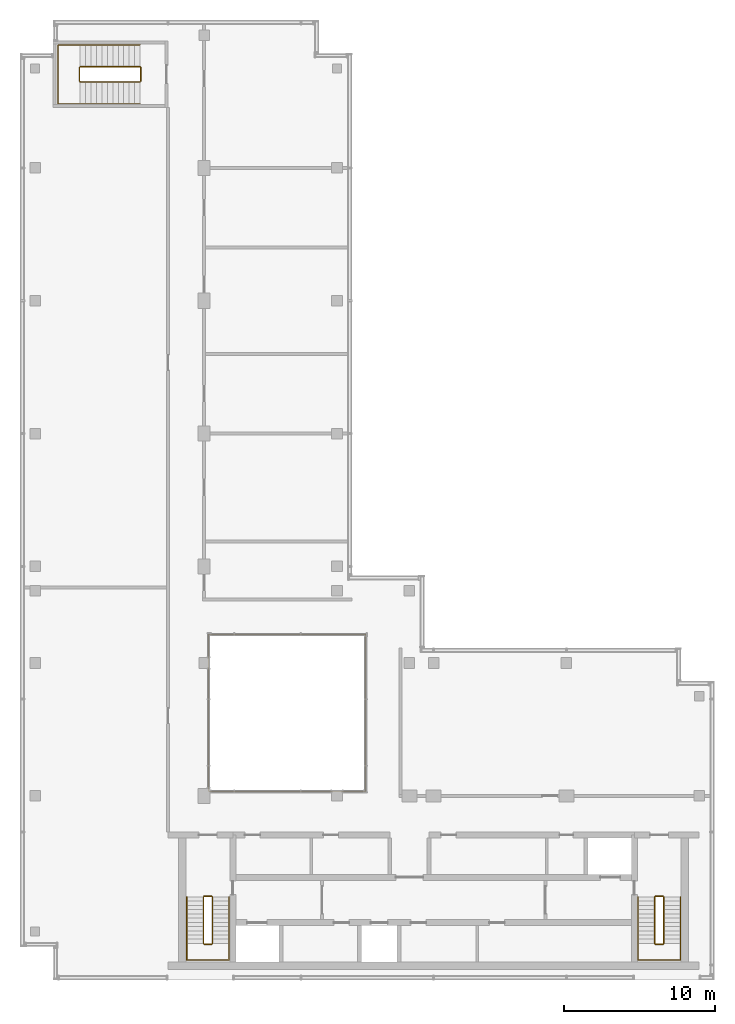
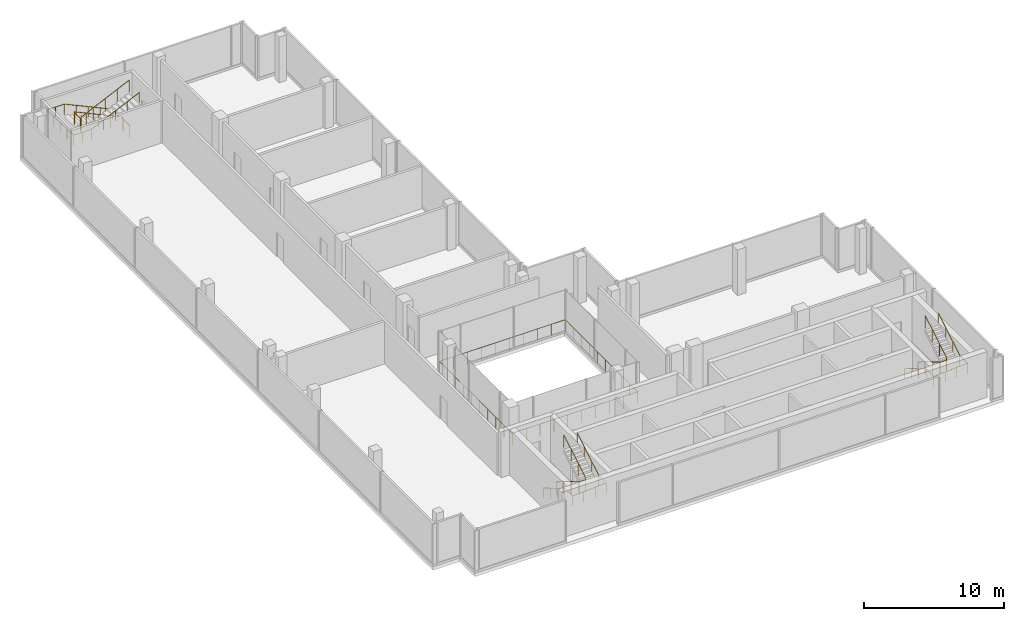
# One storey, part 10 of 10: 7 railings.
"""IFC4 building model written with IfcOpenShell, lengths in metres."""

from ifc_helpers import new_model, si_unit, direction, frame, origin, origin_2d, place, context, subcontext, project, spatial, circle, extrude, material, type_object, element, save


model = new_model("IFC4")

# Units and contexts
model_context = context("Model", 3, precision=1e-05, world=origin(), true_north=direction((0.0, 1.0)))
body_context = subcontext(model_context, "Body", "Model", "MODEL_VIEW")
ifc_project = project(units=[si_unit("LENGTHUNIT", "METRE"), si_unit("AREAUNIT", "SQUARE_METRE"), si_unit("VOLUMEUNIT", "CUBIC_METRE"), si_unit("PLANEANGLEUNIT", "RADIAN"), si_unit("MASSUNIT", "GRAM", prefix="KILO")], contexts=[model_context])

# Site, building, storey
site_placement = place(None, origin())
site = spatial("IfcSite", under=ifc_project, at=site_placement, CompositionType="ELEMENT")
building_placement = place(site_placement, origin())
building = spatial("IfcBuilding", under=site, at=building_placement, Name="Kemantara Hotel Tower", CompositionType="ELEMENT")
storey_placement = place(building_placement, frame((0.0, 0.0, 314.199951171875)))
storey = spatial("IfcBuildingStorey", under=building, at=storey_placement, Name="L79", CompositionType="ELEMENT", Elevation=314.199951171875)

# Railings
ifc_material = material(Name="Stainless steel balustrade", Category="steel")
railing_type_1 = type_object("IfcRailingType", Name="STAINLESS STEEL GUARD 1100", PredefinedType="GUARDRAIL", material=ifc_material)
railing_1_placement = place(storey_placement, frame((12.5, 12.5, 0.0)))
element("IfcRailing", 1, at=railing_1_placement, inside=storey, type_object=railing_type_1, Name="ATRIUM GUARD", PredefinedType="GUARDRAIL", context=body_context, shape_type="SweptSolid", body=[
    extrude(circle(Radius=0.02392578125, at=origin_2d()), frame((0.0, 0.0, 1.076171875), z_axis=(1.0, 0.0, 0.0), x_axis=(0.0, 1.0, 0.0)), (0.0, 0.0, 1.0), 10.39990234375),
    extrude(circle(Radius=0.02392578125, at=origin_2d()), frame((10.39990234375, 0.0, 1.076171875), z_axis=(0.0, 1.0, 0.0), x_axis=(-1.0, 0.0, 0.0)), (0.0, 0.0, 1.0), 10.39990234375),
    extrude(circle(Radius=0.02392578125, at=origin_2d()), frame((10.39990234375, 10.39990234375, 1.076171875), z_axis=(-1.0, 0.0, 0.0), x_axis=(0.0, -1.0, 0.0)), (0.0, 0.0, 1.0), 10.39990234375),
    extrude(circle(Radius=0.02392578125, at=origin_2d()), frame((0.0, 10.39990234375, 1.076171875), z_axis=(0.0, -1.0, 0.0), x_axis=(1.0, 0.0, 0.0)), (0.0, 0.0, 1.0), 10.39990234375),
    extrude(circle(Radius=0.02099609375, at=origin_2d()), origin(), (0.0, 0.0, 1.0), 1.052001953125),
    extrude(circle(Radius=0.02099609375, at=origin_2d()), frame((1.155517578125, 0.0, 0.0)), (0.0, 0.0, 1.0), 1.052001953125),
    extrude(circle(Radius=0.02099609375, at=origin_2d()), frame((2.31103515625, 0.0, 0.0)), (0.0, 0.0, 1.0), 1.052001953125),
    extrude(circle(Radius=0.02099609375, at=origin_2d()), frame((3.466552734375, 0.0, 0.0)), (0.0, 0.0, 1.0), 1.052001953125),
    extrude(circle(Radius=0.02099609375, at=origin_2d()), frame((4.6220703125, 0.0, 0.0)), (0.0, 0.0, 1.0), 1.052001953125),
    extrude(circle(Radius=0.02099609375, at=origin_2d()), frame((5.77783203125, 0.0, 0.0)), (0.0, 0.0, 1.0), 1.052001953125),
    extrude(circle(Radius=0.02099609375, at=origin_2d()), frame((6.933349609375, 0.0, 0.0)), (0.0, 0.0, 1.0), 1.052001953125),
    extrude(circle(Radius=0.02099609375, at=origin_2d()), frame((8.0888671875, 0.0, 0.0)), (0.0, 0.0, 1.0), 1.052001953125),
    extrude(circle(Radius=0.02099609375, at=origin_2d()), frame((9.244384765625, 0.0, 0.0)), (0.0, 0.0, 1.0), 1.052001953125),
    extrude(circle(Radius=0.02099609375, at=origin_2d()), frame((10.39990234375, 0.0, 0.0)), (0.0, 0.0, 1.0), 1.052001953125),
    extrude(circle(Radius=0.02099609375, at=origin_2d()), frame((10.39990234375, 1.155517578125, 0.0)), (0.0, 0.0, 1.0), 1.052001953125),
    extrude(circle(Radius=0.02099609375, at=origin_2d()), frame((10.39990234375, 2.31103515625, 0.0)), (0.0, 0.0, 1.0), 1.052001953125),
    extrude(circle(Radius=0.02099609375, at=origin_2d()), frame((10.39990234375, 3.466552734375, 0.0)), (0.0, 0.0, 1.0), 1.052001953125),
    extrude(circle(Radius=0.02099609375, at=origin_2d()), frame((10.39990234375, 4.6220703125, 0.0)), (0.0, 0.0, 1.0), 1.052001953125),
    extrude(circle(Radius=0.02099609375, at=origin_2d()), frame((10.39990234375, 5.77783203125, 0.0)), (0.0, 0.0, 1.0), 1.052001953125),
    extrude(circle(Radius=0.02099609375, at=origin_2d()), frame((10.39990234375, 6.933349609375, 0.0)), (0.0, 0.0, 1.0), 1.052001953125),
    extrude(circle(Radius=0.02099609375, at=origin_2d()), frame((10.39990234375, 8.0888671875, 0.0)), (0.0, 0.0, 1.0), 1.052001953125),
    extrude(circle(Radius=0.02099609375, at=origin_2d()), frame((10.39990234375, 9.244384765625, 0.0)), (0.0, 0.0, 1.0), 1.052001953125),
    extrude(circle(Radius=0.02099609375, at=origin_2d()), frame((10.39990234375, 10.39990234375, 0.0)), (0.0, 0.0, 1.0), 1.052001953125),
    extrude(circle(Radius=0.02099609375, at=origin_2d()), frame((9.244384765625, 10.39990234375, 0.0)), (0.0, 0.0, 1.0), 1.052001953125),
    extrude(circle(Radius=0.02099609375, at=origin_2d()), frame((8.0888671875, 10.39990234375, 0.0)), (0.0, 0.0, 1.0), 1.052001953125),
    extrude(circle(Radius=0.02099609375, at=origin_2d()), frame((6.933349609375, 10.39990234375, 0.0)), (0.0, 0.0, 1.0), 1.052001953125),
    extrude(circle(Radius=0.02099609375, at=origin_2d()), frame((5.77783203125, 10.39990234375, 0.0)), (0.0, 0.0, 1.0), 1.052001953125),
    extrude(circle(Radius=0.02099609375, at=origin_2d()), frame((4.6220703125, 10.39990234375, 0.0)), (0.0, 0.0, 1.0), 1.052001953125),
    extrude(circle(Radius=0.02099609375, at=origin_2d()), frame((3.466552734375, 10.39990234375, 0.0)), (0.0, 0.0, 1.0), 1.052001953125),
    extrude(circle(Radius=0.02099609375, at=origin_2d()), frame((2.31103515625, 10.39990234375, 0.0)), (0.0, 0.0, 1.0), 1.052001953125),
    extrude(circle(Radius=0.02099609375, at=origin_2d()), frame((1.155517578125, 10.39990234375, 0.0)), (0.0, 0.0, 1.0), 1.052001953125),
    extrude(circle(Radius=0.02099609375, at=origin_2d()), frame((0.0, 10.39990234375, 0.0)), (0.0, 0.0, 1.0), 1.052001953125),
    extrude(circle(Radius=0.02099609375, at=origin_2d()), frame((0.0, 9.244384765625, 0.0)), (0.0, 0.0, 1.0), 1.052001953125),
    extrude(circle(Radius=0.02099609375, at=origin_2d()), frame((0.0, 8.0888671875, 0.0)), (0.0, 0.0, 1.0), 1.052001953125),
    extrude(circle(Radius=0.02099609375, at=origin_2d()), frame((0.0, 6.933349609375, 0.0)), (0.0, 0.0, 1.0), 1.052001953125),
    extrude(circle(Radius=0.02099609375, at=origin_2d()), frame((0.0, 5.77783203125, 0.0)), (0.0, 0.0, 1.0), 1.052001953125),
    extrude(circle(Radius=0.02099609375, at=origin_2d()), frame((0.0, 4.6220703125, 0.0)), (0.0, 0.0, 1.0), 1.052001953125),
    extrude(circle(Radius=0.02099609375, at=origin_2d()), frame((0.0, 3.466552734375, 0.0)), (0.0, 0.0, 1.0), 1.052001953125),
    extrude(circle(Radius=0.02099609375, at=origin_2d()), frame((0.0, 2.31103515625, 0.0)), (0.0, 0.0, 1.0), 1.052001953125),
    extrude(circle(Radius=0.02099609375, at=origin_2d()), frame((0.0, 1.155517578125, 0.0)), (0.0, 0.0, 1.0), 1.052001953125),
])
railing_type_2 = type_object("IfcRailingType", Name="Stair guard 1100 mm", PredefinedType="GUARDRAIL", material=ifc_material)
railing_2_placement = place(storey_placement, frame((12.75, 5.5, 4.0)))
element("IfcRailing", 2, at=railing_2_placement, inside=storey, type_object=railing_type_2, Name="L79 ST1 stair guard 1", PredefinedType="GUARDRAIL", context=body_context, shape_type="SweptSolid", body=[
    extrude(circle(Radius=0.02392578125, at=origin_2d()), frame((0.0, 0.0, 1.076171875), z_axis=(0.0, -0.859308565015, -0.511457515432), x_axis=(1.0, 0.0, 0.0)), (0.0, 0.0, 1.0), 3.58447265625),
    extrude(circle(Radius=0.02392578125, at=origin_2d()), frame((0.0, -3.080078125, -0.75732421875), z_axis=(-0.276389281352, -0.275041040955, -0.920848191041), x_axis=(0.705375805398, -0.708833529934, 0.0)), (0.0, 0.0, 1.0), 0.18115234375),
    extrude(circle(Radius=0.02392578125, at=origin_2d()), frame((-0.050048828125, -3.1298828125, -0.923828125), z_axis=(-1.0, 0.0, 0.0), x_axis=(0.0, -1.0, 0.0)), (0.0, 0.0, 1.0), 0.5),
    extrude(circle(Radius=0.02392578125, at=origin_2d()), frame((-0.550048828125, -3.1298828125, -0.923828125), z_axis=(-0.708833529934, 0.705375805398, 0.0), x_axis=(-0.705375805398, -0.708833529934, 0.0)), (0.0, 0.0, 1.0), 0.070556640625),
    extrude(circle(Radius=0.02392578125, at=origin_2d()), frame((-0.60009765625, -3.080078125, -0.923828125), z_axis=(0.0, 0.859308565015, -0.511457515432), x_axis=(-1.0, 0.0, 0.0)), (0.0, 0.0, 1.0), 3.58447265625),
    extrude(circle(Radius=0.02392578125, at=origin_2d()), frame((-0.60009765625, 0.0, -2.75732421875), z_axis=(0.27628659633, 0.27628659633, -0.920506074601), x_axis=(-0.707106781187, 0.707106781187, 0.0)), (0.0, 0.0, 1.0), 0.18115234375),
    extrude(circle(Radius=0.02392578125, at=origin_2d()), frame((-0.550048828125, 0.050048828125, -2.923828125), z_axis=(1.0, 0.0, 0.0), x_axis=(0.0, 1.0, 0.0)), (0.0, 0.0, 1.0), 0.5),
    extrude(circle(Radius=0.02099609375, at=origin_2d()), origin(), (0.0, 0.0, 1.0), 1.052001953125),
    extrude(circle(Radius=0.02099609375, at=origin_2d()), frame((0.0, -1.026611328125, -0.611083984375)), (0.0, 0.0, 1.0), 1.052001953125),
    extrude(circle(Radius=0.02099609375, at=origin_2d()), frame((0.0, -2.053466796875, -1.22216796875)), (0.0, 0.0, 1.0), 1.052001953125),
    extrude(circle(Radius=0.02099609375, at=origin_2d()), frame((0.0, -3.080078125, -1.833251953125)), (0.0, 0.0, 1.0), 1.052001953125),
    extrude(circle(Radius=0.02099609375, at=origin_2d()), frame((-0.050048828125, -3.1298828125, -2.0)), (0.0, 0.0, 1.0), 1.052001953125),
    extrude(circle(Radius=0.02099609375, at=origin_2d()), frame((-0.550048828125, -3.1298828125, -2.0)), (0.0, 0.0, 1.0), 1.052001953125),
    extrude(circle(Radius=0.02099609375, at=origin_2d()), frame((-0.60009765625, -3.080078125, -2.0)), (0.0, 0.0, 1.0), 1.052001953125),
    extrude(circle(Radius=0.02099609375, at=origin_2d()), frame((-0.60009765625, -2.053466796875, -2.611083984375)), (0.0, 0.0, 1.0), 1.052001953125),
    extrude(circle(Radius=0.02099609375, at=origin_2d()), frame((-0.60009765625, -1.026611328125, -3.22216796875)), (0.0, 0.0, 1.0), 1.052001953125),
    extrude(circle(Radius=0.02099609375, at=origin_2d()), frame((-0.60009765625, 0.0, -3.833251953125)), (0.0, 0.0, 1.0), 1.052001953125),
    extrude(circle(Radius=0.02099609375, at=origin_2d()), frame((-0.550048828125, 0.050048828125, -4.0)), (0.0, 0.0, 1.0), 1.052001953125),
    extrude(circle(Radius=0.02099609375, at=origin_2d()), frame((-0.050048828125, 0.050048828125, -4.0)), (0.0, 0.0, 1.0), 1.052001953125),
])
railing_3_placement = place(storey_placement, frame((42.64990234375, 5.5, 4.0)))
element("IfcRailing", 3, at=railing_3_placement, inside=storey, type_object=railing_type_2, Name="L79 ST2 stair guard 1", PredefinedType="GUARDRAIL", context=body_context, shape_type="SweptSolid", body=[
    extrude(circle(Radius=0.02392578125, at=origin_2d()), frame((0.0, 0.0, 1.076171875), z_axis=(0.0, -0.859308565015, -0.511457515432), x_axis=(1.0, 0.0, 0.0)), (0.0, 0.0, 1.0), 3.58447265625),
    extrude(circle(Radius=0.02392578125, at=origin_2d()), frame((0.0, -3.080078125, -0.75732421875), z_axis=(-0.275143339093, -0.275143339093, -0.92119068922), x_axis=(0.707106781187, -0.707106781187, 0.0)), (0.0, 0.0, 1.0), 0.180908203125),
    extrude(circle(Radius=0.02392578125, at=origin_2d()), frame((-0.0498046875, -3.1298828125, -0.923828125), z_axis=(-1.0, 0.0, 0.0), x_axis=(0.0, -1.0, 0.0)), (0.0, 0.0, 1.0), 0.5),
    extrude(circle(Radius=0.02392578125, at=origin_2d()), frame((-0.5498046875, -3.1298828125, -0.923828125), z_axis=(-0.708833529934, 0.705375805398, 0.0), x_axis=(-0.705375805398, -0.708833529934, 0.0)), (0.0, 0.0, 1.0), 0.070556640625),
    extrude(circle(Radius=0.02392578125, at=origin_2d()), frame((-0.599853515625, -3.080078125, -0.923828125), z_axis=(0.0, 0.859308565015, -0.511457515432), x_axis=(-1.0, 0.0, 0.0)), (0.0, 0.0, 1.0), 3.58447265625),
    extrude(circle(Radius=0.02392578125, at=origin_2d()), frame((-0.599853515625, 0.0, -2.75732421875), z_axis=(0.27628659633, 0.27628659633, -0.920506074601), x_axis=(-0.707106781187, 0.707106781187, 0.0)), (0.0, 0.0, 1.0), 0.18115234375),
    extrude(circle(Radius=0.02392578125, at=origin_2d()), frame((-0.5498046875, 0.050048828125, -2.923828125), z_axis=(1.0, 0.0, 0.0), x_axis=(0.0, 1.0, 0.0)), (0.0, 0.0, 1.0), 0.5),
    extrude(circle(Radius=0.02099609375, at=origin_2d()), origin(), (0.0, 0.0, 1.0), 1.052001953125),
    extrude(circle(Radius=0.02099609375, at=origin_2d()), frame((0.0, -1.026611328125, -0.611083984375)), (0.0, 0.0, 1.0), 1.052001953125),
    extrude(circle(Radius=0.02099609375, at=origin_2d()), frame((0.0, -2.053466796875, -1.22216796875)), (0.0, 0.0, 1.0), 1.052001953125),
    extrude(circle(Radius=0.02099609375, at=origin_2d()), frame((0.0, -3.080078125, -1.833251953125)), (0.0, 0.0, 1.0), 1.052001953125),
    extrude(circle(Radius=0.02099609375, at=origin_2d()), frame((-0.0498046875, -3.1298828125, -2.0)), (0.0, 0.0, 1.0), 1.052001953125),
    extrude(circle(Radius=0.02099609375, at=origin_2d()), frame((-0.5498046875, -3.1298828125, -2.0)), (0.0, 0.0, 1.0), 1.052001953125),
    extrude(circle(Radius=0.02099609375, at=origin_2d()), frame((-0.599853515625, -3.080078125, -2.0)), (0.0, 0.0, 1.0), 1.052001953125),
    extrude(circle(Radius=0.02099609375, at=origin_2d()), frame((-0.599853515625, -2.053466796875, -2.611083984375)), (0.0, 0.0, 1.0), 1.052001953125),
    extrude(circle(Radius=0.02099609375, at=origin_2d()), frame((-0.599853515625, -1.026611328125, -3.22216796875)), (0.0, 0.0, 1.0), 1.052001953125),
    extrude(circle(Radius=0.02099609375, at=origin_2d()), frame((-0.599853515625, 0.0, -3.833251953125)), (0.0, 0.0, 1.0), 1.052001953125),
    extrude(circle(Radius=0.02099609375, at=origin_2d()), frame((-0.5498046875, 0.050048828125, -4.0)), (0.0, 0.0, 1.0), 1.052001953125),
    extrude(circle(Radius=0.02099609375, at=origin_2d()), frame((-0.0498046875, 0.050048828125, -4.0)), (0.0, 0.0, 1.0), 1.052001953125),
])
railing_4_placement = place(storey_placement, frame((7.949951171875, 59.5, 4.0)))
element("IfcRailing", 4, at=railing_4_placement, inside=storey, type_object=railing_type_2, Name="L79 ST4 stair guard 1", PredefinedType="GUARDRAIL", context=body_context, shape_type="SweptSolid", body=[
    extrude(circle(Radius=0.02392578125, at=origin_2d()), frame((0.0, 0.0, 1.076171875), z_axis=(-0.907472437036, 0.0, -0.420111623286), x_axis=(0.0, -1.0, 0.0)), (0.0, 0.0, 1.0), 4.36376953125),
    extrude(circle(Radius=0.02392578125, at=origin_2d()), frame((-3.9599609375, 0.0, -0.75732421875), z_axis=(-0.27628659633, 0.27628659633, -0.920506074601), x_axis=(-0.707106781187, -0.707106781187, 0.0)), (0.0, 0.0, 1.0), 0.18115234375),
    extrude(circle(Radius=0.02392578125, at=origin_2d()), frame((-4.010009765625, 0.050048828125, -0.923828125), z_axis=(0.0, 1.0, 0.0), x_axis=(-1.0, 0.0, 0.0)), (0.0, 0.0, 1.0), 0.89990234375),
    extrude(circle(Radius=0.02392578125, at=origin_2d()), frame((-4.010009765625, 0.949951171875, -0.923828125), z_axis=(0.707106781187, 0.707106781187, 0.0), x_axis=(-0.707106781187, 0.707106781187, 0.0)), (0.0, 0.0, 1.0), 0.07080078125),
    extrude(circle(Radius=0.02392578125, at=origin_2d()), frame((-3.9599609375, 1.0, -0.923828125), z_axis=(0.907472437036, 0.0, -0.420111623286), x_axis=(0.0, 1.0, 0.0)), (0.0, 0.0, 1.0), 4.36376953125),
    extrude(circle(Radius=0.02392578125, at=origin_2d()), frame((0.0, 1.0, -2.75732421875), z_axis=(0.27628659633, -0.27628659633, -0.920506074601), x_axis=(0.707106781187, 0.707106781187, 0.0)), (0.0, 0.0, 1.0), 0.18115234375),
    extrude(circle(Radius=0.02392578125, at=origin_2d()), frame((0.050048828125, 0.949951171875, -2.923828125), z_axis=(0.0, -1.0, 0.0), x_axis=(1.0, 0.0, 0.0)), (0.0, 0.0, 1.0), 0.89990234375),
    extrude(circle(Radius=0.02099609375, at=origin_2d()), origin(), (0.0, 0.0, 1.0), 1.052001953125),
    extrude(circle(Radius=0.02099609375, at=origin_2d()), frame((-0.989990234375, 0.0, -0.458251953125)), (0.0, 0.0, 1.0), 1.052001953125),
    extrude(circle(Radius=0.02099609375, at=origin_2d()), frame((-1.97998046875, 0.0, -0.91650390625)), (0.0, 0.0, 1.0), 1.052001953125),
    extrude(circle(Radius=0.02099609375, at=origin_2d()), frame((-2.969970703125, 0.0, -1.375)), (0.0, 0.0, 1.0), 1.052001953125),
    extrude(circle(Radius=0.02099609375, at=origin_2d()), frame((-3.9599609375, 0.0, -1.833251953125)), (0.0, 0.0, 1.0), 1.052001953125),
    extrude(circle(Radius=0.02099609375, at=origin_2d()), frame((-4.010009765625, 0.050048828125, -2.0)), (0.0, 0.0, 1.0), 1.052001953125),
    extrude(circle(Radius=0.02099609375, at=origin_2d()), frame((-4.010009765625, 0.949951171875, -2.0)), (0.0, 0.0, 1.0), 1.052001953125),
    extrude(circle(Radius=0.02099609375, at=origin_2d()), frame((-3.9599609375, 1.0, -2.0)), (0.0, 0.0, 1.0), 1.052001953125),
    extrude(circle(Radius=0.02099609375, at=origin_2d()), frame((-2.969970703125, 1.0, -2.458251953125)), (0.0, 0.0, 1.0), 1.052001953125),
    extrude(circle(Radius=0.02099609375, at=origin_2d()), frame((-1.97998046875, 1.0, -2.91650390625)), (0.0, 0.0, 1.0), 1.052001953125),
    extrude(circle(Radius=0.02099609375, at=origin_2d()), frame((-0.989990234375, 1.0, -3.375)), (0.0, 0.0, 1.0), 1.052001953125),
    extrude(circle(Radius=0.02099609375, at=origin_2d()), frame((0.0, 1.0, -3.833251953125)), (0.0, 0.0, 1.0), 1.052001953125),
    extrude(circle(Radius=0.02099609375, at=origin_2d()), frame((0.050048828125, 0.949951171875, -4.0)), (0.0, 0.0, 1.0), 1.052001953125),
    extrude(circle(Radius=0.02099609375, at=origin_2d()), frame((0.050048828125, 0.050048828125, -4.0)), (0.0, 0.0, 1.0), 1.052001953125),
])
railing_type_3 = type_object("IfcRailingType", Name="Stair handrail 900 mm", PredefinedType="HANDRAIL", material=ifc_material)
railing_5_placement = place(storey_placement, frame((11.050048828125, 5.5, 0.166748046875)))
element("IfcRailing", 5, at=railing_5_placement, inside=storey, type_object=railing_type_3, Name="L79 ST1 stair handrail 1", PredefinedType="HANDRAIL", context=body_context, shape_type="SweptSolid", body=[
    extrude(circle(Radius=0.02392578125, at=origin_2d()), frame((0.0, 0.0, 0.8759765625), z_axis=(0.0, -0.859308565015, 0.511457515432), x_axis=(1.0, 0.0, 0.0)), (0.0, 0.0, 1.0), 3.58447265625),
    extrude(circle(Radius=0.02392578125, at=origin_2d()), frame((0.0, -3.080078125, 2.708984375), z_axis=(0.0, -1.0, 0.0), x_axis=(1.0, 0.0, 0.0)), (0.0, 0.0, 1.0), 1.099853515625),
    extrude(circle(Radius=0.02392578125, at=origin_2d()), frame((0.0, -4.179931640625, 2.708984375), z_axis=(0.998231491969, 0.0, 0.059446517483), x_axis=(0.0, 1.0, 0.0)), (0.0, 0.0, 1.0), 2.804931640625),
    extrude(circle(Radius=0.02392578125, at=origin_2d()), frame((2.800048828125, -4.179931640625, 2.8759765625), z_axis=(0.0, 1.0, 0.0), x_axis=(-1.0, 0.0, 0.0)), (0.0, 0.0, 1.0), 1.099853515625),
    extrude(circle(Radius=0.02392578125, at=origin_2d()), frame((2.800048828125, -3.080078125, 2.8759765625), z_axis=(0.0, 0.859308565015, 0.511457515432), x_axis=(-1.0, 0.0, 0.0)), (0.0, 0.0, 1.0), 3.58447265625),
    extrude(circle(Radius=0.02099609375, at=origin_2d()), origin(), (0.0, 0.0, 1.0), 0.851806640625),
    extrude(circle(Radius=0.02099609375, at=origin_2d()), frame((0.0, -1.026611328125, 0.611083984375)), (0.0, 0.0, 1.0), 0.851806640625),
    extrude(circle(Radius=0.02099609375, at=origin_2d()), frame((0.0, -2.053466796875, 1.22216796875)), (0.0, 0.0, 1.0), 0.851806640625),
    extrude(circle(Radius=0.02099609375, at=origin_2d()), frame((0.0, -3.080078125, 1.833251953125)), (0.0, 0.0, 1.0), 0.851806640625),
    extrude(circle(Radius=0.02099609375, at=origin_2d()), frame((0.0, -4.179931640625, 1.833251953125)), (0.0, 0.0, 1.0), 0.851806640625),
    extrude(circle(Radius=0.02099609375, at=origin_2d()), frame((0.933349609375, -4.179931640625, 1.888916015625)), (0.0, 0.0, 1.0), 0.851806640625),
    extrude(circle(Radius=0.02099609375, at=origin_2d()), frame((1.86669921875, -4.179931640625, 1.9443359375)), (0.0, 0.0, 1.0), 0.851806640625),
    extrude(circle(Radius=0.02099609375, at=origin_2d()), frame((2.800048828125, -4.179931640625, 2.0)), (0.0, 0.0, 1.0), 0.851806640625),
    extrude(circle(Radius=0.02099609375, at=origin_2d()), frame((2.800048828125, -3.080078125, 2.0)), (0.0, 0.0, 1.0), 0.851806640625),
    extrude(circle(Radius=0.02099609375, at=origin_2d()), frame((2.800048828125, -2.053466796875, 2.611083984375)), (0.0, 0.0, 1.0), 0.851806640625),
    extrude(circle(Radius=0.02099609375, at=origin_2d()), frame((2.800048828125, -1.026611328125, 3.22216796875)), (0.0, 0.0, 1.0), 0.851806640625),
    extrude(circle(Radius=0.02099609375, at=origin_2d()), frame((2.800048828125, 0.0, 3.833251953125)), (0.0, 0.0, 1.0), 0.851806640625),
])
railing_6_placement = place(storey_placement, frame((40.949951171875, 5.5, 0.166748046875)))
element("IfcRailing", 6, at=railing_6_placement, inside=storey, type_object=railing_type_3, Name="L79 ST2 stair handrail 1", PredefinedType="HANDRAIL", context=body_context, shape_type="SweptSolid", body=[
    extrude(circle(Radius=0.02392578125, at=origin_2d()), frame((0.0, 0.0, 0.8759765625), z_axis=(0.0, -0.859308565015, 0.511457515432), x_axis=(1.0, 0.0, 0.0)), (0.0, 0.0, 1.0), 3.58447265625),
    extrude(circle(Radius=0.02392578125, at=origin_2d()), frame((0.0, -3.080078125, 2.708984375), z_axis=(0.0, -1.0, 0.0), x_axis=(1.0, 0.0, 0.0)), (0.0, 0.0, 1.0), 1.099853515625),
    extrude(circle(Radius=0.02392578125, at=origin_2d()), frame((0.0, -4.179931640625, 2.708984375), z_axis=(0.998231491969, 0.0, 0.059446517483), x_axis=(0.0, 1.0, 0.0)), (0.0, 0.0, 1.0), 2.804931640625),
    extrude(circle(Radius=0.02392578125, at=origin_2d()), frame((2.800048828125, -4.179931640625, 2.8759765625), z_axis=(0.0, 1.0, 0.0), x_axis=(-1.0, 0.0, 0.0)), (0.0, 0.0, 1.0), 1.099853515625),
    extrude(circle(Radius=0.02392578125, at=origin_2d()), frame((2.800048828125, -3.080078125, 2.8759765625), z_axis=(0.0, 0.859308565015, 0.511457515432), x_axis=(-1.0, 0.0, 0.0)), (0.0, 0.0, 1.0), 3.58447265625),
    extrude(circle(Radius=0.02099609375, at=origin_2d()), origin(), (0.0, 0.0, 1.0), 0.851806640625),
    extrude(circle(Radius=0.02099609375, at=origin_2d()), frame((0.0, -1.026611328125, 0.611083984375)), (0.0, 0.0, 1.0), 0.851806640625),
    extrude(circle(Radius=0.02099609375, at=origin_2d()), frame((0.0, -2.053466796875, 1.22216796875)), (0.0, 0.0, 1.0), 0.851806640625),
    extrude(circle(Radius=0.02099609375, at=origin_2d()), frame((0.0, -3.080078125, 1.833251953125)), (0.0, 0.0, 1.0), 0.851806640625),
    extrude(circle(Radius=0.02099609375, at=origin_2d()), frame((0.0, -4.179931640625, 1.833251953125)), (0.0, 0.0, 1.0), 0.851806640625),
    extrude(circle(Radius=0.02099609375, at=origin_2d()), frame((0.933349609375, -4.179931640625, 1.888916015625)), (0.0, 0.0, 1.0), 0.851806640625),
    extrude(circle(Radius=0.02099609375, at=origin_2d()), frame((1.86669921875, -4.179931640625, 1.9443359375)), (0.0, 0.0, 1.0), 0.851806640625),
    extrude(circle(Radius=0.02099609375, at=origin_2d()), frame((2.800048828125, -4.179931640625, 2.0)), (0.0, 0.0, 1.0), 0.851806640625),
    extrude(circle(Radius=0.02099609375, at=origin_2d()), frame((2.800048828125, -3.080078125, 2.0)), (0.0, 0.0, 1.0), 0.851806640625),
    extrude(circle(Radius=0.02099609375, at=origin_2d()), frame((2.800048828125, -2.053466796875, 2.611083984375)), (0.0, 0.0, 1.0), 0.851806640625),
    extrude(circle(Radius=0.02099609375, at=origin_2d()), frame((2.800048828125, -1.026611328125, 3.22216796875)), (0.0, 0.0, 1.0), 0.851806640625),
    extrude(circle(Radius=0.02099609375, at=origin_2d()), frame((2.800048828125, 0.0, 3.833251953125)), (0.0, 0.0, 1.0), 0.851806640625),
])
railing_7_placement = place(storey_placement, frame((7.949951171875, 61.949951171875, 0.166748046875)))
element("IfcRailing", 7, at=railing_7_placement, inside=storey, type_object=railing_type_3, Name="L79 ST4 stair handrail 1", PredefinedType="HANDRAIL", context=body_context, shape_type="SweptSolid", body=[
    extrude(circle(Radius=0.02392578125, at=origin_2d()), frame((0.0, 0.0, 0.8759765625), z_axis=(-0.907472437036, 0.0, 0.420111623286), x_axis=(0.0, -1.0, 0.0)), (0.0, 0.0, 1.0), 4.36376953125),
    extrude(circle(Radius=0.02392578125, at=origin_2d()), frame((-3.9599609375, 0.0, 2.708984375), z_axis=(-1.0, 0.0, 0.0), x_axis=(0.0, -1.0, 0.0)), (0.0, 0.0, 1.0), 1.469970703125),
    extrude(circle(Radius=0.02392578125, at=origin_2d()), frame((-5.429931640625, 0.0, 2.708984375), z_axis=(0.0, -0.999087171733, 0.042717950313), x_axis=(1.0, 0.0, 0.0)), (0.0, 0.0, 1.0), 3.903564453125),
    extrude(circle(Radius=0.02392578125, at=origin_2d()), frame((-5.429931640625, -3.89990234375, 2.8759765625), z_axis=(1.0, 0.0, 0.0), x_axis=(0.0, 1.0, 0.0)), (0.0, 0.0, 1.0), 1.469970703125),
    extrude(circle(Radius=0.02392578125, at=origin_2d()), frame((-3.9599609375, -3.89990234375, 2.8759765625), z_axis=(0.907472437036, 0.0, 0.420111623286), x_axis=(0.0, 1.0, 0.0)), (0.0, 0.0, 1.0), 4.36376953125),
    extrude(circle(Radius=0.02099609375, at=origin_2d()), origin(), (0.0, 0.0, 1.0), 0.851806640625),
    extrude(circle(Radius=0.02099609375, at=origin_2d()), frame((-0.989990234375, 0.0, 0.458251953125)), (0.0, 0.0, 1.0), 0.851806640625),
    extrude(circle(Radius=0.02099609375, at=origin_2d()), frame((-1.97998046875, 0.0, 0.91650390625)), (0.0, 0.0, 1.0), 0.851806640625),
    extrude(circle(Radius=0.02099609375, at=origin_2d()), frame((-2.969970703125, 0.0, 1.375)), (0.0, 0.0, 1.0), 0.851806640625),
    extrude(circle(Radius=0.02099609375, at=origin_2d()), frame((-3.9599609375, 0.0, 1.833251953125)), (0.0, 0.0, 1.0), 0.851806640625),
    extrude(circle(Radius=0.02099609375, at=origin_2d()), frame((-4.69482421875, 0.0, 1.833251953125)), (0.0, 0.0, 1.0), 0.851806640625),
    extrude(circle(Radius=0.02099609375, at=origin_2d()), frame((-5.429931640625, 0.0, 1.833251953125)), (0.0, 0.0, 1.0), 0.851806640625),
    extrude(circle(Radius=0.02099609375, at=origin_2d()), frame((-5.429931640625, -0.97509765625, 1.875)), (0.0, 0.0, 1.0), 0.851806640625),
    extrude(circle(Radius=0.02099609375, at=origin_2d()), frame((-5.429931640625, -1.949951171875, 1.91650390625)), (0.0, 0.0, 1.0), 0.851806640625),
    extrude(circle(Radius=0.02099609375, at=origin_2d()), frame((-5.429931640625, -2.9248046875, 1.958251953125)), (0.0, 0.0, 1.0), 0.851806640625),
    extrude(circle(Radius=0.02099609375, at=origin_2d()), frame((-5.429931640625, -3.89990234375, 2.0)), (0.0, 0.0, 1.0), 0.851806640625),
    extrude(circle(Radius=0.02099609375, at=origin_2d()), frame((-4.69482421875, -3.89990234375, 2.0)), (0.0, 0.0, 1.0), 0.851806640625),
    extrude(circle(Radius=0.02099609375, at=origin_2d()), frame((-3.9599609375, -3.89990234375, 2.0)), (0.0, 0.0, 1.0), 0.851806640625),
    extrude(circle(Radius=0.02099609375, at=origin_2d()), frame((-2.969970703125, -3.89990234375, 2.458251953125)), (0.0, 0.0, 1.0), 0.851806640625),
    extrude(circle(Radius=0.02099609375, at=origin_2d()), frame((-1.97998046875, -3.89990234375, 2.91650390625)), (0.0, 0.0, 1.0), 0.851806640625),
    extrude(circle(Radius=0.02099609375, at=origin_2d()), frame((-0.989990234375, -3.89990234375, 3.375)), (0.0, 0.0, 1.0), 0.851806640625),
    extrude(circle(Radius=0.02099609375, at=origin_2d()), frame((0.0, -3.89990234375, 3.833251953125)), (0.0, 0.0, 1.0), 0.851806640625),
])

save(model, "model.ifc")
